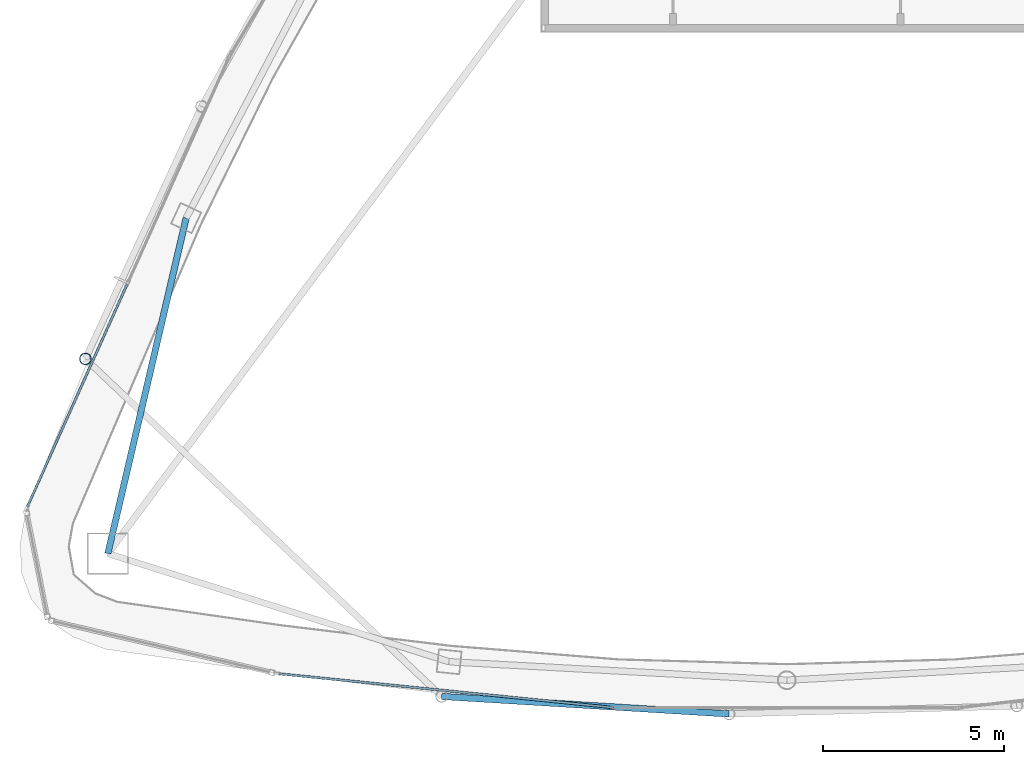
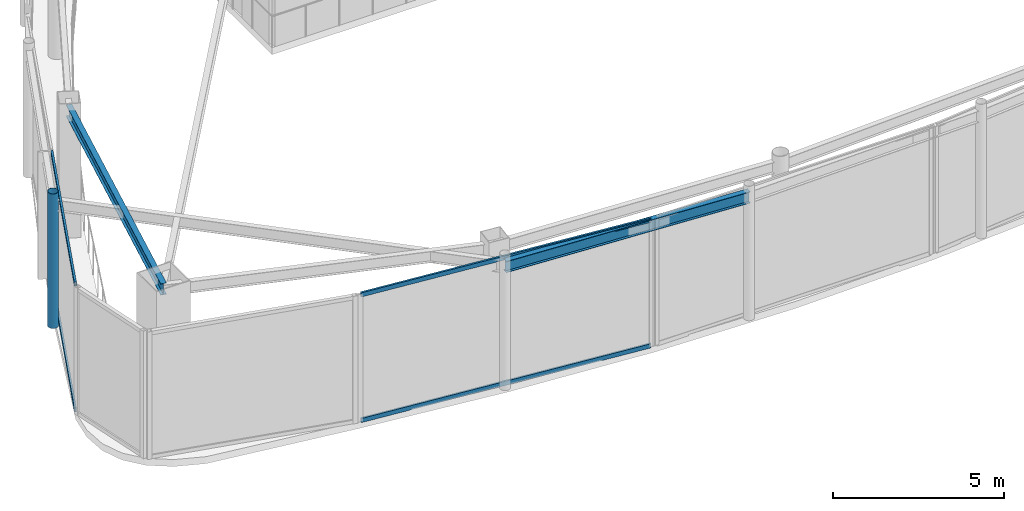
# One storey, part 3 of 19: 5 members, 2 beams, 2 elements without a shape of their own.
"""IFC4 building model written with IfcOpenShell, lengths in metres."""

from ifc_helpers import new_model, si_unit, direction, frame, origin, origin_2d, place, context, subcontext, project, spatial, hollow_rectangle, hollow_circle, i_section, extrude, material, layer, layer_set, material_profile, profile_set, type_object, element, aggregate, save


model = new_model("IFC4")

# Units and contexts
model_context = context("Model", 3, precision=1e-05, world=origin(), true_north=direction((0.0, 1.0)))
body_context = subcontext(model_context, "Body", "Model", "MODEL_VIEW")
ifc_project = project(units=[si_unit("LENGTHUNIT", "METRE"), si_unit("AREAUNIT", "SQUARE_METRE"), si_unit("VOLUMEUNIT", "CUBIC_METRE"), si_unit("PLANEANGLEUNIT", "RADIAN"), si_unit("MASSUNIT", "GRAM", prefix="KILO")], contexts=[model_context])

# Site, building, storey
site_placement = place(None, origin())
site = spatial("IfcSite", under=ifc_project, at=site_placement, CompositionType="ELEMENT")
building_placement = place(site_placement, origin())
building = spatial("IfcBuilding", under=site, at=building_placement, Name="Orvanel Arch Residences", CompositionType="ELEMENT")
storey_placement = place(building_placement, frame((0.0, 0.0, 286.10009765625)))
storey = spatial("IfcBuildingStorey", under=building, at=storey_placement, Name="L81", CompositionType="ELEMENT", Elevation=286.10009765625)

# Beams
ifc_material_1 = material(Name="Structural steel AS/NZS 3679.1 Grade 300 (300 MPa)", Category="steel")
ifc_material_profile_1 = material_profile(ifc_material_1, i_section(OverallWidth=0.177978515625, OverallDepth=0.406005859375, WebThickness=0.0078125, FlangeThickness=0.0126953125, at=origin_2d()), Name="410UB59.7")
ifc_profile_set_1 = profile_set([ifc_material_profile_1], Name="Structural steel AS/NZS 3679.1 Grade 300 (300 MPa)")
beam_type_1 = type_object("IfcBeamType", Name="OB-410UB", PredefinedType="SPANDREL", material=ifc_profile_set_1)
beam_1_placement = place(storey_placement, frame((16.366943359375, 19.64208984375, 4.346923828125), z_axis=(-0.227236087167, -0.973839699688, 0.0), x_axis=(0.973839699688, -0.227236087167, 0.0)))
element("IfcBeam", 1, at=beam_1_placement, inside=storey, type_object=beam_type_1, Name="L81 Perimeter Spandrel Beam 01", PredefinedType="SPANDREL", context=body_context, shape_type="SweptSolid", body=[
    extrude(i_section(OverallWidth=0.177978515625, OverallDepth=0.406005859375, WebThickness=0.0078125, FlangeThickness=0.0126953125, at=origin_2d()), origin(), (0.0, 0.0, 1.0), 9.54052734375),
])
ifc_material_profile_2 = material_profile(ifc_material_1, i_section(OverallWidth=0.177978515625, OverallDepth=0.406005859375, WebThickness=0.0078125, FlangeThickness=0.0126953125, at=origin_2d()), Name="410UB59.7")
ifc_profile_set_2 = profile_set([ifc_material_profile_2], Name="Structural steel AS/NZS 3679.1 Grade 300 (300 MPa)")
beam_type_2 = type_object("IfcBeamType", Name="OB-410UB-EXT", PredefinedType="SPANDREL", material=ifc_profile_set_2)
beam_2_placement = place(storey_placement, frame((23.44189453125, 6.39404296875, 4.346923828125), z_axis=(0.998146745254, -0.060852895889, 0.0), x_axis=(0.060852895889, 0.998146745254, 0.0)))
element("IfcBeam", 2, at=beam_2_placement, inside=storey, type_object=beam_type_2, Name="L81 Outer Perimeter Floor Ring Beam 05", PredefinedType="SPANDREL", context=body_context, shape_type="SweptSolid", body=[
    extrude(i_section(OverallWidth=0.177978515625, OverallDepth=0.406005859375, WebThickness=0.0078125, FlangeThickness=0.0126953125, at=origin_2d()), origin(), (0.0, 0.0, 1.0), 7.971923828125),
])

# Member
ifc_material_2 = material(Name="Structural steel AS/NZS 1163 C350L0 (Grade 350)", Category="steel")
ifc_material_profile_3 = material_profile(ifc_material_2, hollow_circle(Radius=0.162109375, WallThickness=0.0126953125, at=origin_2d()), Name="CHS324x12.7")
ifc_profile_set_3 = profile_set([ifc_material_profile_3], Name="Structural steel AS/NZS 1163 C350L0 (Grade 350)")
member_type_1 = type_object("IfcMemberType", Name="ST-324CHS-EXT", PredefinedType="STRUT", material=ifc_profile_set_3)
member_1_placement = place(storey_placement, frame((13.577880859375, 15.740966796875, 0.0), z_axis=(0.0, 0.0, 1.0), x_axis=(1.0, 0.0, 0.0)))
element("IfcMember", 3, at=member_1_placement, inside=storey, type_object=member_type_1, Name="L81 Outer Perimeter Frame Post 04", PredefinedType="STRUT", context=body_context, shape_type="SweptSolid", body=[
    extrude(hollow_circle(Radius=0.162109375, WallThickness=0.0126953125, at=origin_2d()), origin(), (0.0, 0.0, 1.0), 4.7998046875),
])

# Curtain wall, members
ifc_material_3 = material(Name="Bronze-anodised aluminium AA6063-T6", Category="aluminium")
ifc_layer = layer(ifc_material_3, 0.2099609375)
ifc_layer_set = layer_set([ifc_layer], Name="Bronze-anodised aluminium AA6063-T6")
curtain_wall_type = type_object("IfcCurtainWallType", Name="CW7-TOP-SYS", PredefinedType="NOTDEFINED", material=ifc_layer_set)
curtain_wall_1_placement = place(storey_placement, origin())
curtain_wall_1 = element("IfcCurtainWall", 4, at=curtain_wall_1_placement, inside=storey, type_object=curtain_wall_type, Name="L81 CW7-TOP-SYS Unitised Curtain Wall", PredefinedType="NOTDEFINED")
ifc_material_profile_4 = material_profile(ifc_material_3, hollow_rectangle(XDim=0.06494140625, YDim=0.14990234375, WallThickness=0.00390625, at=origin_2d()), Name="ALU150x65x4")
ifc_profile_set_4 = profile_set([ifc_material_profile_4], Name="Bronze-anodised aluminium AA6063-T6")
member_type_2 = type_object("IfcMemberType", Name="TRN-150x65", PredefinedType="USERDEFINED", material=ifc_profile_set_4)
member_2_placement = place(storey_placement, frame((14.734619140625, 17.811767578125, 0.032470703125), z_axis=(-0.409346580659, -0.912378965618, 0.0), x_axis=(0.912378965618, -0.409346580659, 0.0)))
member_2 = element("IfcMember", 5, at=member_2_placement, type_object=member_type_2, Name="CW-S7 transom 2.1", ObjectType="TRANSOM", PredefinedType="USERDEFINED", context=body_context, shape_type="SweptSolid", body=[
    extrude(hollow_rectangle(XDim=0.06494140625, YDim=0.14990234375, WallThickness=0.00390625, at=origin_2d()), origin(), (0.0, 0.0, 1.0), 6.751953125),
])
member_3_placement = place(storey_placement, frame((14.734619140625, 17.811767578125, 4.517333984375), z_axis=(-0.409346580659, -0.912378965618, 0.0), x_axis=(0.912378965618, -0.409346580659, 0.0)))
member_3 = element("IfcMember", 6, at=member_3_placement, type_object=member_type_2, Name="CW-S7 transom 2.2", ObjectType="TRANSOM", PredefinedType="USERDEFINED", context=body_context, shape_type="SweptSolid", body=[
    extrude(hollow_rectangle(XDim=0.06494140625, YDim=0.14990234375, WallThickness=0.00390625, at=origin_2d()), origin(), (0.0, 0.0, 1.0), 6.751953125),
])
aggregate(curtain_wall_1, [member_2, member_3])

curtain_wall_2_placement = place(storey_placement, origin())
curtain_wall_2 = element("IfcCurtainWall", 7, at=curtain_wall_2_placement, inside=storey, type_object=curtain_wall_type, Name="L81 CW7-TOP-SYS Unitised Curtain Wall", PredefinedType="NOTDEFINED")
member_4_placement = place(storey_placement, frame((18.9326171875, 7.0224609375, 0.032470703125), z_axis=(0.994933979893, -0.100530471276, 0.0), x_axis=(0.100530471276, 0.994933979893, 0.0)))
member_4 = element("IfcMember", 8, at=member_4_placement, type_object=member_type_2, Name="CW-S7 transom 1.1", ObjectType="TRANSOM", PredefinedType="USERDEFINED", context=body_context, shape_type="SweptSolid", body=[
    extrude(hollow_rectangle(XDim=0.06494140625, YDim=0.14990234375, WallThickness=0.00390625, at=origin_2d()), origin(), (0.0, 0.0, 1.0), 9.298828125),
])
member_5_placement = place(storey_placement, frame((18.9326171875, 7.0224609375, 4.517333984375), z_axis=(0.994933979893, -0.100530471276, 0.0), x_axis=(0.100530471276, 0.994933979893, 0.0)))
member_5 = element("IfcMember", 9, at=member_5_placement, type_object=member_type_2, Name="CW-S7 transom 1.2", ObjectType="TRANSOM", PredefinedType="USERDEFINED", context=body_context, shape_type="SweptSolid", body=[
    extrude(hollow_rectangle(XDim=0.06494140625, YDim=0.14990234375, WallThickness=0.00390625, at=origin_2d()), origin(), (0.0, 0.0, 1.0), 9.298828125),
])
aggregate(curtain_wall_2, [member_4, member_5])

save(model, "model.ifc")
